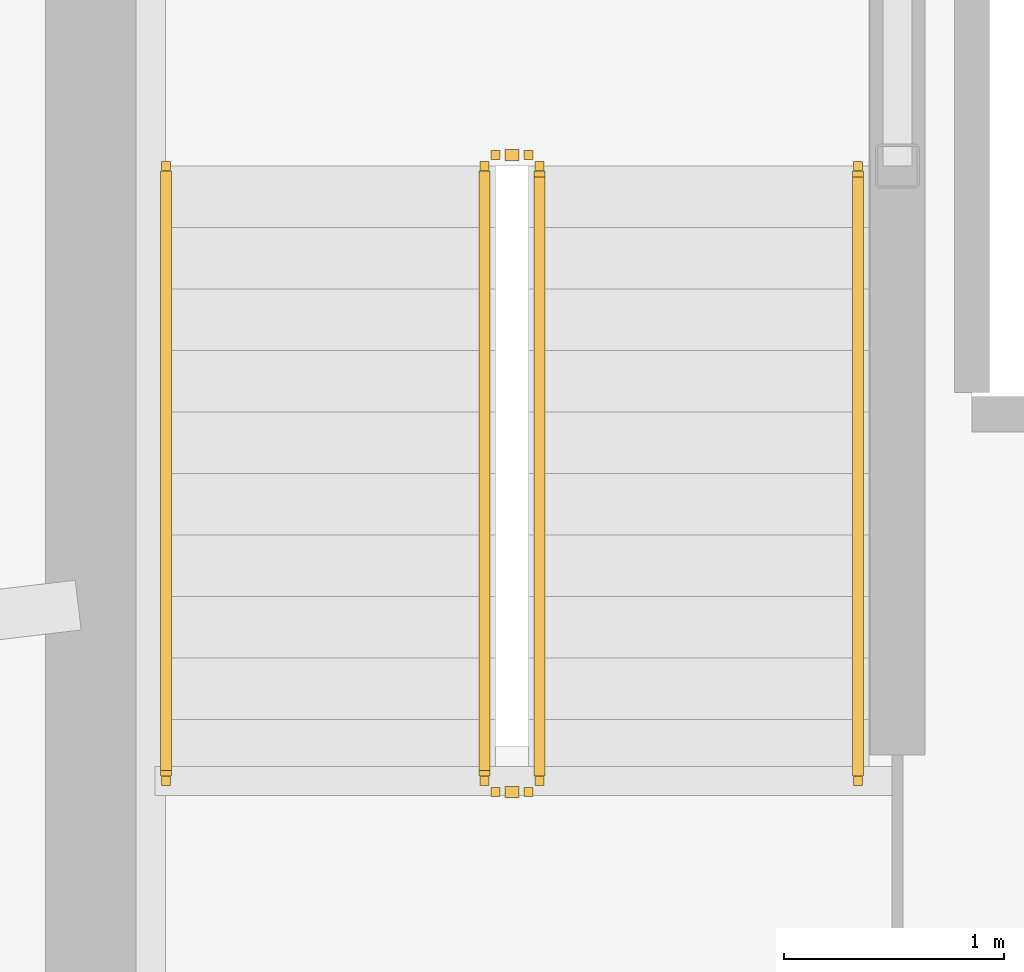
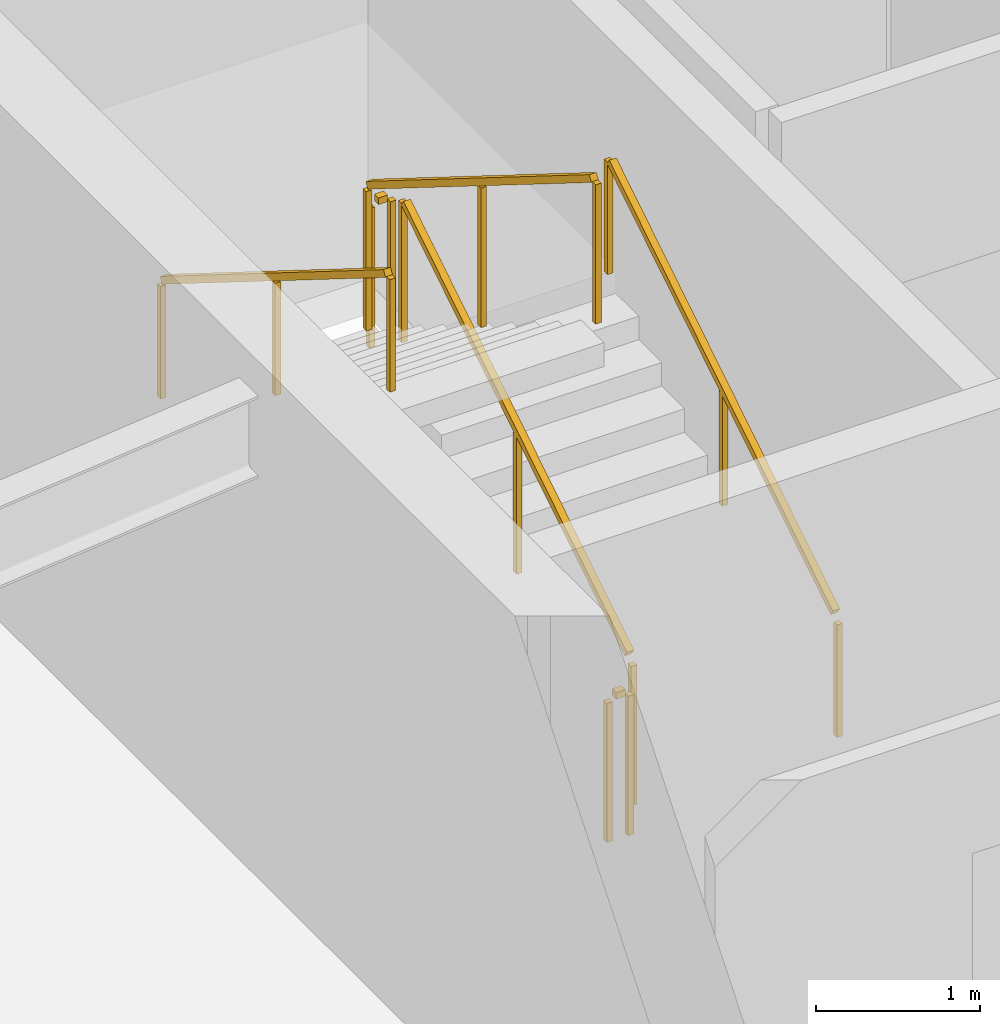
# One storey, part 26 of 31: 6 railings.
"""IFC4 building model written with IfcOpenShell, lengths in metres."""

from ifc_helpers import new_model, si_unit, direction, frame, origin, origin_2d, place, context, subcontext, project, spatial, rectangle, extrude, material, type_object, element, save


model = new_model("IFC4")

# Units and contexts
model_context = context("Model", 3, precision=1e-05, world=origin(), true_north=direction((0.0, 1.0)))
body_context = subcontext(model_context, "Body", "Model", "MODEL_VIEW")
ifc_project = project(units=[si_unit("LENGTHUNIT", "METRE"), si_unit("AREAUNIT", "SQUARE_METRE"), si_unit("VOLUMEUNIT", "CUBIC_METRE"), si_unit("PLANEANGLEUNIT", "RADIAN"), si_unit("MASSUNIT", "GRAM", prefix="KILO")], contexts=[model_context])

# Site, building, storey
site_placement = place(None, origin())
site = spatial("IfcSite", under=ifc_project, at=site_placement, CompositionType="ELEMENT")
building_placement = place(site_placement, origin())
building = spatial("IfcBuilding", under=site, at=building_placement, Name="Kazma Halo Residences", CompositionType="ELEMENT")
storey_placement = place(building_placement, frame((0.0, 0.0, 275.199951171875)))
storey = spatial("IfcBuildingStorey", under=building, at=storey_placement, Name="L69", CompositionType="ELEMENT", Elevation=275.199951171875)

# Railings
ifc_material_1 = material(Name="Painted Steel S355", Category="steel")
railing_type_1 = type_object("IfcRailingType", Name="RLG-STAIR-GRD-1100", PredefinedType="GUARDRAIL", material=ifc_material_1)
railing_1_placement = place(storey_placement, frame((39.550048828125, 39.949951171875, 0.175048828125)))
element("IfcRailing", 1, at=railing_1_placement, inside=storey, type_object=railing_type_1, Name="L69 ST-01 stair guard 1", PredefinedType="GUARDRAIL", context=body_context, shape_type="SweptSolid", body=[
    extrude(rectangle(XDim=0.050048828125, YDim=0.050048828125, at=origin_2d()), frame((0.0, 0.0361328125, 1.09765625), z_axis=(0.0, 0.848002457836, 0.529992293815), x_axis=(-1.0, 0.0, 0.0)), (0.0, 0.0, 1.0), 3.216796875),
    extrude(rectangle(XDim=0.0400390625, YDim=0.0400390625, at=origin_2d()), origin(), (0.0, 0.0, 1.0), 1.0380859375),
    extrude(rectangle(XDim=0.0400390625, YDim=0.0400390625, at=origin_2d()), frame((0.0, 1.39990234375, 0.875)), (0.0, 0.0, 1.0), 1.0380859375),
    extrude(rectangle(XDim=0.0400390625, YDim=0.0400390625, at=origin_2d()), frame((0.0, 2.800048828125, 1.75)), (0.0, 0.0, 1.0), 1.0380859375),
])
railing_2_placement = place(storey_placement, frame((39.5, 42.800048828125, 1.925048828125)))
element("IfcRailing", 2, at=railing_2_placement, inside=storey, type_object=railing_type_1, Name="L69 ST-01 stair guard 2", PredefinedType="GUARDRAIL", context=body_context, shape_type="SweptSolid", body=[
    extrude(rectangle(XDim=0.050048828125, YDim=0.050048828125, at=origin_2d()), frame((-0.04248046875, 0.0, 1.0751953125), z_axis=(-1.0, 0.0, 0.0), x_axis=(0.0, -1.0, 0.0)), (0.0, 0.0, 1.0), 0.06494140625),
    extrude(rectangle(XDim=0.0400390625, YDim=0.0400390625, at=origin_2d()), origin(), (0.0, 0.0, 1.0), 1.0380859375),
    extrude(rectangle(XDim=0.0400390625, YDim=0.0400390625, at=origin_2d()), frame((-0.14990234375, 0.0, 0.0)), (0.0, 0.0, 1.0), 1.0380859375),
])
railing_3_placement = place(storey_placement, frame((39.300048828125, 42.75, 2.10009765625)))
element("IfcRailing", 3, at=railing_3_placement, inside=storey, type_object=railing_type_1, Name="L69 ST-01 stair guard 3", PredefinedType="GUARDRAIL", context=body_context, shape_type="SweptSolid", body=[
    extrude(rectangle(XDim=0.050048828125, YDim=0.050048828125, at=origin_2d()), frame((0.0, -0.0361328125, 1.09765625), z_axis=(0.0, -0.848002457836, 0.529992293815), x_axis=(1.0, 0.0, 0.0)), (0.0, 0.0, 1.0), 3.216796875),
    extrude(rectangle(XDim=0.0400390625, YDim=0.0400390625, at=origin_2d()), origin(), (0.0, 0.0, 1.0), 1.0380859375),
    extrude(rectangle(XDim=0.0400390625, YDim=0.0400390625, at=origin_2d()), frame((0.0, -1.39990234375, 0.875)), (0.0, 0.0, 1.0), 1.0380859375),
    extrude(rectangle(XDim=0.0400390625, YDim=0.0400390625, at=origin_2d()), frame((0.0, -2.800048828125, 1.75)), (0.0, 0.0, 1.0), 1.0380859375),
])
railing_4_placement = place(storey_placement, frame((39.5, 39.89990234375, 0.0)))
element("IfcRailing", 4, at=railing_4_placement, inside=storey, type_object=railing_type_1, Name="L69 ST-01 stair guard 4", PredefinedType="GUARDRAIL", context=body_context, shape_type="SweptSolid", body=[
    extrude(rectangle(XDim=0.050048828125, YDim=0.050048828125, at=origin_2d()), frame((-0.04248046875, 0.0, 1.0751953125), z_axis=(-1.0, 0.0, 0.0), x_axis=(0.0, -1.0, 0.0)), (0.0, 0.0, 1.0), 0.06494140625),
    extrude(rectangle(XDim=0.0400390625, YDim=0.0400390625, at=origin_2d()), origin(), (0.0, 0.0, 1.0), 1.0380859375),
    extrude(rectangle(XDim=0.0400390625, YDim=0.0400390625, at=origin_2d()), frame((-0.14990234375, 0.0, 0.0)), (0.0, 0.0, 1.0), 1.0380859375),
])
ifc_material_2 = material(Name="Brushed Stainless Steel", Category="steel")
railing_type_2 = type_object("IfcRailingType", Name="RLG-STAIR-HND-900", PredefinedType="HANDRAIL", material=ifc_material_2)
railing_5_placement = place(storey_placement, frame((41.0, 39.949951171875, 0.175048828125)))
element("IfcRailing", 5, at=railing_5_placement, inside=storey, type_object=railing_type_2, Name="L69 ST-01 stair handrail 1", PredefinedType="HANDRAIL", context=body_context, shape_type="SweptSolid", body=[
    extrude(rectangle(XDim=0.050048828125, YDim=0.050048828125, at=origin_2d()), frame((0.0, 0.0361328125, 0.8974609375), z_axis=(0.0, 0.848002457836, 0.529992293815), x_axis=(-1.0, 0.0, 0.0)), (0.0, 0.0, 1.0), 3.216796875),
    extrude(rectangle(XDim=0.0400390625, YDim=0.0400390625, at=origin_2d()), origin(), (0.0, 0.0, 1.0), 0.837890625),
    extrude(rectangle(XDim=0.0400390625, YDim=0.0400390625, at=origin_2d()), frame((0.0, 1.39990234375, 0.875)), (0.0, 0.0, 1.0), 0.837890625),
    extrude(rectangle(XDim=0.0400390625, YDim=0.0400390625, at=origin_2d()), frame((0.0, 2.800048828125, 1.75)), (0.0, 0.0, 1.0), 0.837890625),
])
railing_6_placement = place(storey_placement, frame((37.85009765625, 42.75, 2.10009765625)))
element("IfcRailing", 6, at=railing_6_placement, inside=storey, type_object=railing_type_2, Name="L69 ST-01 stair handrail 2", PredefinedType="HANDRAIL", context=body_context, shape_type="SweptSolid", body=[
    extrude(rectangle(XDim=0.050048828125, YDim=0.050048828125, at=origin_2d()), frame((0.0, -0.0361328125, 0.8974609375), z_axis=(0.0, -0.848002457836, 0.529992293815), x_axis=(1.0, 0.0, 0.0)), (0.0, 0.0, 1.0), 3.216796875),
    extrude(rectangle(XDim=0.0400390625, YDim=0.0400390625, at=origin_2d()), origin(), (0.0, 0.0, 1.0), 0.837890625),
    extrude(rectangle(XDim=0.0400390625, YDim=0.0400390625, at=origin_2d()), frame((0.0, -1.39990234375, 0.875)), (0.0, 0.0, 1.0), 0.837890625),
    extrude(rectangle(XDim=0.0400390625, YDim=0.0400390625, at=origin_2d()), frame((0.0, -2.800048828125, 1.75)), (0.0, 0.0, 1.0), 0.837890625),
])

save(model, "model.ifc")
